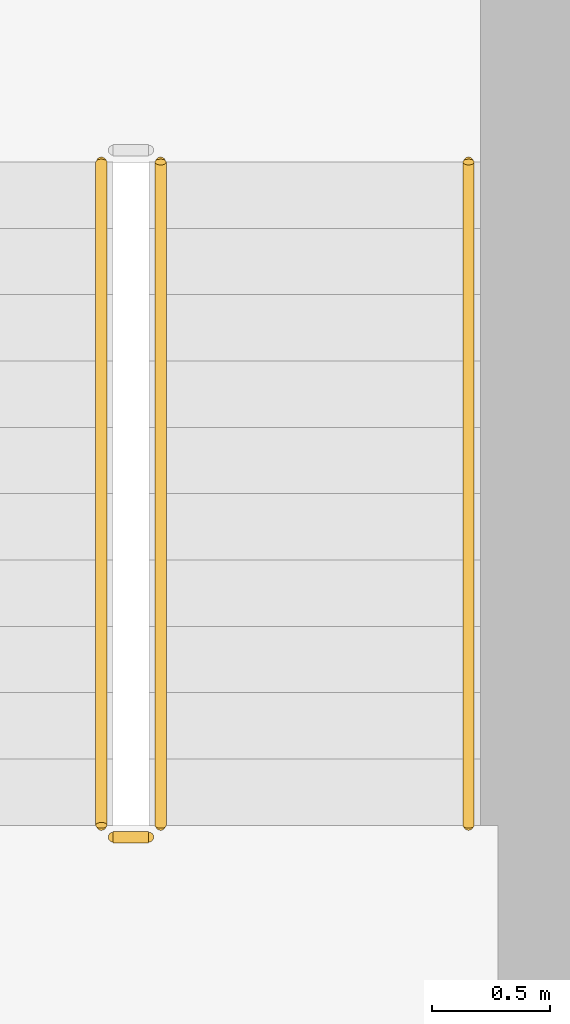
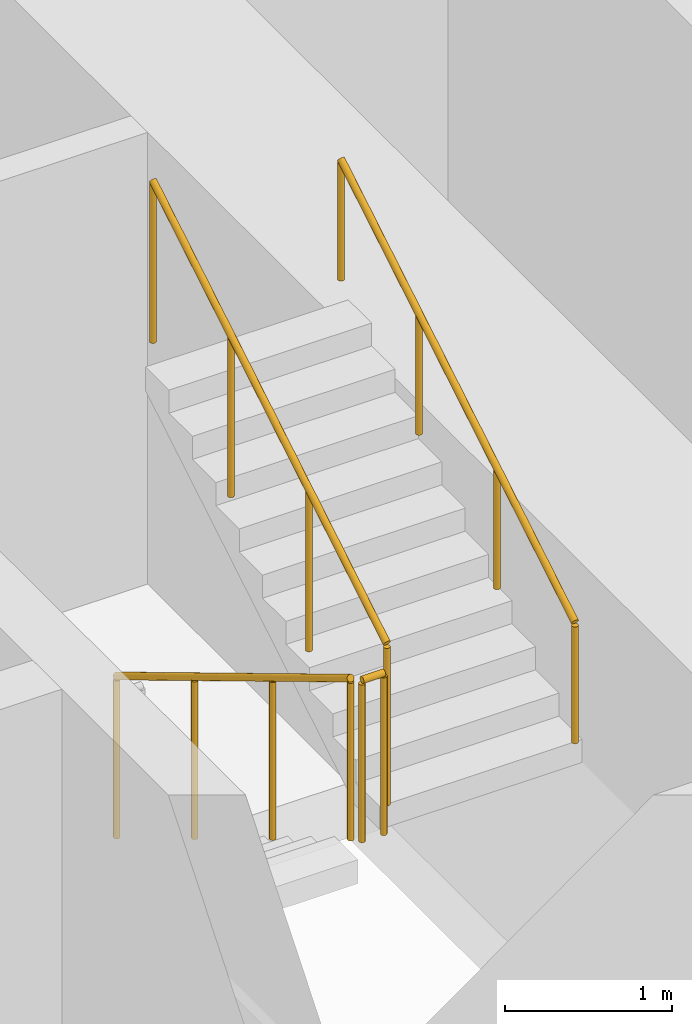
# One storey, part 22 of 26: 4 railings.
"""IFC4 building model written with IfcOpenShell, lengths in metres."""

from ifc_helpers import new_model, si_unit, direction, frame, origin, origin_2d, place, context, subcontext, project, spatial, circle, extrude, material, type_object, element, save


model = new_model("IFC4")

# Units and contexts
model_context = context("Model", 3, precision=1e-05, world=origin(), true_north=direction((0.0, 1.0)))
body_context = subcontext(model_context, "Body", "Model", "MODEL_VIEW")
ifc_project = project(units=[si_unit("LENGTHUNIT", "METRE"), si_unit("AREAUNIT", "SQUARE_METRE"), si_unit("VOLUMEUNIT", "CUBIC_METRE"), si_unit("PLANEANGLEUNIT", "RADIAN"), si_unit("MASSUNIT", "GRAM", prefix="KILO")], contexts=[model_context])

# Site, building, storey
site_placement = place(None, origin())
site = spatial("IfcSite", under=ifc_project, at=site_placement, CompositionType="ELEMENT")
building_placement = place(site_placement, origin())
building = spatial("IfcBuilding", under=site, at=building_placement, Name="Dongbaek Canopy Tower", CompositionType="ELEMENT")
storey_placement = place(building_placement, frame((0.0, 0.0, 69.89990234375)))
storey = spatial("IfcBuildingStorey", under=building, at=storey_placement, Name="L13", CompositionType="ELEMENT", Elevation=69.89990234375)

# Railings
ifc_material_1 = material(Name="Stainless steel tube and balusters", Category="steel")
railing_type_1 = type_object("IfcRailingType", Name="Stair guard 1200", PredefinedType="GUARDRAIL", material=ifc_material_1)
railing_1_placement = place(storey_placement, frame((11.199951171875, -4.699951171875, 0.168212890625)))
element("IfcRailing", 1, at=railing_1_placement, inside=storey, type_object=railing_type_1, Name="L13 ST-B stair guard 1", PredefinedType="GUARDRAIL", context=body_context, shape_type="SweptSolid", body=[
    extrude(circle(Radius=0.02392578125, at=origin_2d()), frame((0.0, 0.0, 1.17578125), z_axis=(0.0, -0.857242210791, 0.514913383045), x_axis=(1.0, 0.0, 0.0)), (0.0, 0.0, 1.0), 3.266357421875),
    extrude(circle(Radius=0.02099609375, at=origin_2d()), origin(), (0.0, 0.0, 1.0), 1.15185546875),
    extrude(circle(Radius=0.02099609375, at=origin_2d()), frame((0.0, -0.933349609375, 0.560546875)), (0.0, 0.0, 1.0), 1.15185546875),
    extrude(circle(Radius=0.02099609375, at=origin_2d()), frame((0.0, -1.86669921875, 1.121337890625)), (0.0, 0.0, 1.0), 1.15185546875),
    extrude(circle(Radius=0.02099609375, at=origin_2d()), frame((0.0, -2.800048828125, 1.681884765625)), (0.0, 0.0, 1.0), 1.15185546875),
])
railing_2_placement = place(storey_placement, frame((11.25, -7.550048828125, 1.85009765625)))
element("IfcRailing", 2, at=railing_2_placement, inside=storey, type_object=railing_type_1, Name="L13 ST-B stair guard 2", PredefinedType="GUARDRAIL", context=body_context, shape_type="SweptSolid", body=[
    extrude(circle(Radius=0.02392578125, at=origin_2d()), frame((0.0, 0.0, 1.17578125), z_axis=(1.0, 0.0, 0.0), x_axis=(0.0, 1.0, 0.0)), (0.0, 0.0, 1.0), 0.14990234375),
    extrude(circle(Radius=0.02099609375, at=origin_2d()), origin(), (0.0, 0.0, 1.0), 1.15185546875),
    extrude(circle(Radius=0.02099609375, at=origin_2d()), frame((0.14990234375, 0.0, 0.0)), (0.0, 0.0, 1.0), 1.15185546875),
])
railing_3_placement = place(storey_placement, frame((11.449951171875, -7.5, 2.018310546875)))
element("IfcRailing", 3, at=railing_3_placement, inside=storey, type_object=railing_type_1, Name="L13 ST-B stair guard 3", PredefinedType="GUARDRAIL", context=body_context, shape_type="SweptSolid", body=[
    extrude(circle(Radius=0.02392578125, at=origin_2d()), frame((0.0, 0.0, 1.17578125), z_axis=(0.0, 0.857242210791, 0.514913383045), x_axis=(-1.0, 0.0, 0.0)), (0.0, 0.0, 1.0), 3.266357421875),
    extrude(circle(Radius=0.02099609375, at=origin_2d()), origin(), (0.0, 0.0, 1.0), 1.15185546875),
    extrude(circle(Radius=0.02099609375, at=origin_2d()), frame((0.0, 0.933349609375, 0.560546875)), (0.0, 0.0, 1.0), 1.15185546875),
    extrude(circle(Radius=0.02099609375, at=origin_2d()), frame((0.0, 1.86669921875, 1.121337890625)), (0.0, 0.0, 1.0), 1.15185546875),
    extrude(circle(Radius=0.02099609375, at=origin_2d()), frame((0.0, 2.800048828125, 1.681884765625)), (0.0, 0.0, 1.0), 1.15185546875),
])
ifc_material_2 = material(Name="Stainless steel tube", Category="steel")
railing_type_2 = type_object("IfcRailingType", Name="Stair handrail 900", PredefinedType="HANDRAIL", material=ifc_material_2)
railing_4_placement = place(storey_placement, frame((12.75, -7.5, 2.018310546875)))
element("IfcRailing", 4, at=railing_4_placement, inside=storey, type_object=railing_type_2, Name="L13 ST-B stair handrail 2", PredefinedType="HANDRAIL", context=body_context, shape_type="SweptSolid", body=[
    extrude(circle(Radius=0.02392578125, at=origin_2d()), frame((0.0, 0.0, 0.8759765625), z_axis=(0.0, 0.857242210791, 0.514913383045), x_axis=(-1.0, 0.0, 0.0)), (0.0, 0.0, 1.0), 3.266357421875),
    extrude(circle(Radius=0.02099609375, at=origin_2d()), origin(), (0.0, 0.0, 1.0), 0.851806640625),
    extrude(circle(Radius=0.02099609375, at=origin_2d()), frame((0.0, 0.933349609375, 0.560546875)), (0.0, 0.0, 1.0), 0.851806640625),
    extrude(circle(Radius=0.02099609375, at=origin_2d()), frame((0.0, 1.86669921875, 1.121337890625)), (0.0, 0.0, 1.0), 0.851806640625),
    extrude(circle(Radius=0.02099609375, at=origin_2d()), frame((0.0, 2.800048828125, 1.681884765625)), (0.0, 0.0, 1.0), 0.851806640625),
])

save(model, "model.ifc")
